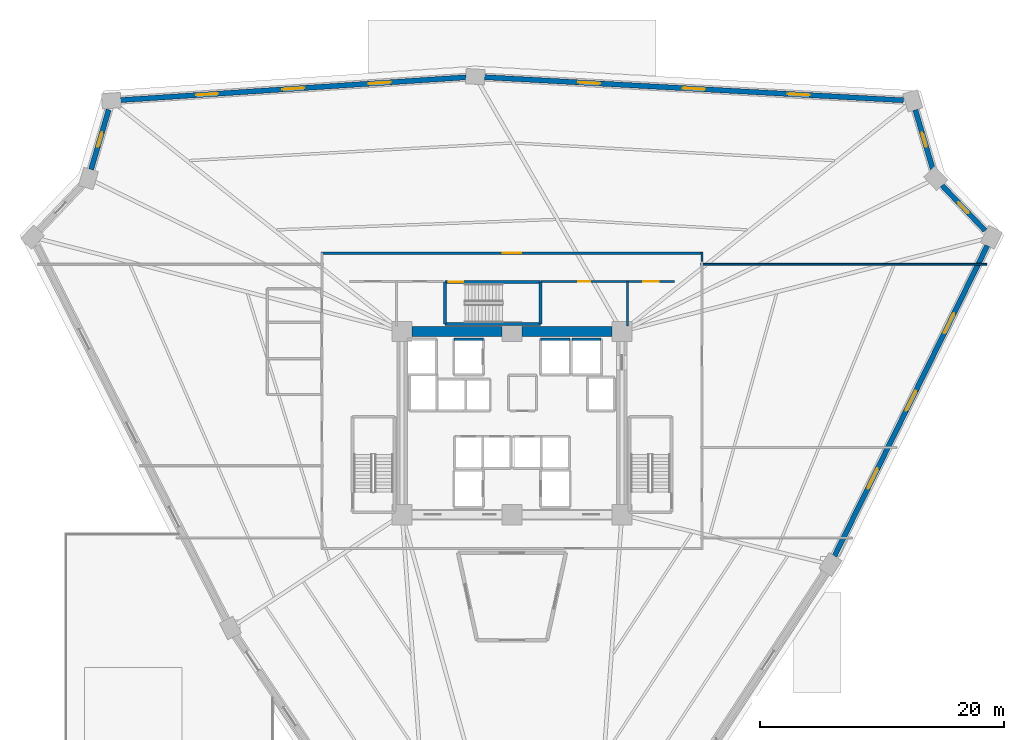
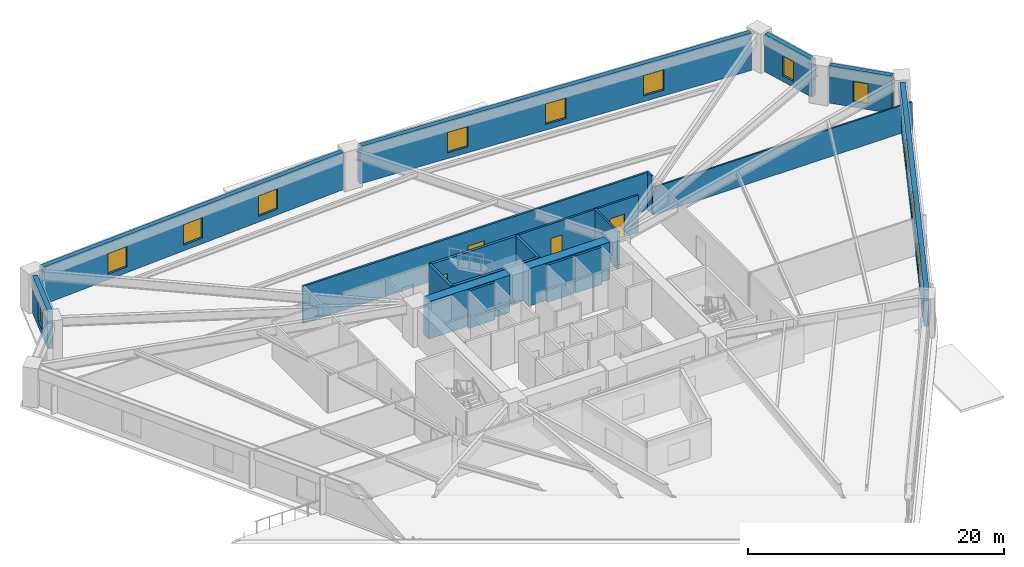
# One storey, part 6 of 9: 21 walls, 12 windows, 4 doors, 16 openings.
"""IFC4 building model written with IfcOpenShell, lengths in metres."""

from ifc_helpers import new_model, si_unit, direction, frame, frame_2d, origin, place, context, subcontext, project, spatial, rectangle, extrude, source, transform, mapped, material, layer, layer_set, type_object, element, fill, save


model = new_model("IFC4")

# Units and contexts
model_context = context("Model", 3, precision=1e-05, world=origin(), true_north=direction((0.0, 1.0)))
body_context = subcontext(model_context, "Body", "Model", "MODEL_VIEW")
ifc_project = project(units=[si_unit("LENGTHUNIT", "METRE"), si_unit("AREAUNIT", "SQUARE_METRE"), si_unit("VOLUMEUNIT", "CUBIC_METRE"), si_unit("PLANEANGLEUNIT", "RADIAN"), si_unit("MASSUNIT", "GRAM", prefix="KILO")], contexts=[model_context])

# Site, building, storey
site_placement = place(None, origin())
site = spatial("IfcSite", under=ifc_project, at=site_placement, CompositionType="ELEMENT")
building_placement = place(site_placement, origin())
building = spatial("IfcBuilding", under=site, at=building_placement, Name="Liaohun Quay Tower", CompositionType="ELEMENT")
storey_placement = place(building_placement, frame((0.0, 0.0, 28.5)))
storey = spatial("IfcBuildingStorey", under=building, at=storey_placement, Name="L07", CompositionType="ELEMENT", Elevation=28.5)

# Walls
ifc_material_1 = material(Name="Concrete C60", Category="concrete")
ifc_layer_1 = layer(ifc_material_1, 0.85009765625, Name="Concrete C60", Category="concrete")
ifc_layer_set_1 = layer_set([ifc_layer_1], Name="Concrete C60")
wall_type_1 = type_object("IfcWallType", Name="WAL-COR-Z1", PredefinedType="SHEAR", material=ifc_layer_set_1)
for number, where, z_axis, x_axis, name in (
    (1, (51.824951171875, 61.5, 0.0), (0.0, 0.0, 1.0), (1.0, 0.0, 0.0), "L07 Central Core Shear Wall N-W"),
    (2, (60.824951171875, 61.5, 0.0), (0.0, 0.0, 1.0), (1.0, 0.0, 0.0), "L07 Central Core Shear Wall N-E"),
):
    element("IfcWall", number, at=place(storey_placement, frame(where, z_axis=z_axis, x_axis=x_axis)), inside=storey, type_object=wall_type_1, Name=name, PredefinedType="SHEAR", context=body_context, shape_type="SweptSolid", body=[
        extrude(rectangle(XDim=7.35009765625, YDim=0.85009765625, at=frame_2d((3.675048828125, 0.0))), origin(), (0.0, 0.0, 1.0), 3.570068359375),
    ])

# Wall, openings, windows
ifc_material_2 = material(Name="Precast concrete C50 insulated sandwich", Category="concrete")
ifc_layer_2 = layer(ifc_material_2, 0.419921875, Name="Precast concrete C50 insulated sandwich", Category="concrete")
ifc_layer_set_2 = layer_set([ifc_layer_2], Name="Precast concrete C50 insulated sandwich")
wall_type_2 = type_object("IfcWallType", Name="WAL-EXT-Z12", PredefinedType="SOLIDWALL", material=ifc_layer_set_2)
wall_1_placement = place(storey_placement, frame((86.402099609375, 43.10888671875, 0.0), z_axis=(0.0, 0.0, 1.0), x_axis=(0.441766083851, 0.897130273238, 0.0)))
wall_1 = element("IfcWall", 3, at=wall_1_placement, inside=storey, type_object=wall_type_2, Name="L07 Brutalist Precast Pier Wall 03", PredefinedType="SOLIDWALL", context=body_context, shape_type="SweptSolid", body=[
    extrude(rectangle(XDim=28.33154296875, YDim=0.419921875, at=frame_2d((14.165771484375, 0.0))), origin(), (0.0, 0.0, 1.0), 3.570068359375),
])
shared_shape_1 = source(origin(), body_context, "Body", "SweptSolid", [
    extrude(rectangle(XDim=1.800048828125, YDim=1.949951171875, at=frame_2d((0.89990234375, 0.97509765625))), frame((0.0, 0.219970703125, 0.0), z_axis=(0.0, -1.0, 0.0), x_axis=(1.0, 0.0, 0.0)), (0.0, 0.0, 1.0), 0.43994140625),
])
opening_1_placement = place(wall_1_placement, frame((6.18310546875, 0.0, 0.550048828125)))
opening_1 = element("IfcOpeningElement", 4, at=opening_1_placement, cuts=wall_1, Name="Opening W01", PredefinedType="OPENING", context=body_context, shape_type="MappedRepresentation", body=[
    mapped(shared_shape_1, transform((0.0, 0.0, 0.0), x_axis=(1.0, 0.0, 0.0), y_axis=(0.0, 1.0, 0.0), z_axis=(0.0, 0.0, 1.0), scale=1.0)),
])
opening_2_placement = place(wall_1_placement, frame((13.26611328125, 0.0, 0.550048828125)))
opening_2 = element("IfcOpeningElement", 5, at=opening_2_placement, cuts=wall_1, Name="Opening W01", PredefinedType="OPENING", context=body_context, shape_type="MappedRepresentation", body=[
    mapped(shared_shape_1, transform((0.0, 0.0, 0.0), x_axis=(1.0, 0.0, 0.0), y_axis=(0.0, 1.0, 0.0), z_axis=(0.0, 0.0, 1.0), scale=1.0)),
])
opening_3_placement = place(wall_1_placement, frame((20.34912109375, 0.0, 0.550048828125)))
opening_3 = element("IfcOpeningElement", 6, at=opening_3_placement, cuts=wall_1, Name="Opening W01", PredefinedType="OPENING", context=body_context, shape_type="MappedRepresentation", body=[
    mapped(shared_shape_1, transform((0.0, 0.0, 0.0), x_axis=(1.0, 0.0, 0.0), y_axis=(0.0, 1.0, 0.0), z_axis=(0.0, 0.0, 1.0), scale=1.0)),
])
ifc_material_3 = material(Name="Triple Low-E argon glazing in thermally broken aluminium", Category="aluminium")
window_type_1 = type_object("IfcWindowType", Name="WIN-PUN-Z1", PartitioningType="DOUBLE_PANEL_VERTICAL", PredefinedType="WINDOW", material=ifc_material_3)
shared_shape_2 = source(origin(), body_context, "Body", "SweptSolid", [
    extrude(rectangle(XDim=1.800048828125, YDim=1.949951171875, at=frame_2d((0.89990234375, 0.97509765625))), frame((0.0, 0.030029296875, 0.0), z_axis=(0.0, -1.0, 0.0), x_axis=(1.0, 0.0, 0.0)), (0.0, 0.0, 1.0), 0.06005859375),
])
window_1_placement = place(opening_1_placement, origin())
window_1 = element("IfcWindow", 7, at=window_1_placement, inside=storey, type_object=window_type_1, Name="L07 Recessed Cold-Climate Punched Window 03-1", OverallHeight=1.949951171875, OverallWidth=1.800048828125, PartitioningType="DOUBLE_PANEL_VERTICAL", PredefinedType="WINDOW", context=body_context, shape_type="MappedRepresentation", body=[
    mapped(shared_shape_2, transform((0.0, 0.0, 0.0), x_axis=(1.0, 0.0, 0.0), y_axis=(0.0, 1.0, 0.0), z_axis=(0.0, 0.0, 1.0), scale=1.0)),
])
fill(opening_1, window_1)
window_2_placement = place(opening_2_placement, origin())
window_2 = element("IfcWindow", 8, at=window_2_placement, inside=storey, type_object=window_type_1, Name="L07 Recessed Cold-Climate Punched Window 03-2", OverallHeight=1.949951171875, OverallWidth=1.800048828125, PartitioningType="DOUBLE_PANEL_VERTICAL", PredefinedType="WINDOW", context=body_context, shape_type="MappedRepresentation", body=[
    mapped(shared_shape_2, transform((0.0, 0.0, 0.0), x_axis=(1.0, 0.0, 0.0), y_axis=(0.0, 1.0, 0.0), z_axis=(0.0, 0.0, 1.0), scale=1.0)),
])
fill(opening_2, window_2)
window_3_placement = place(opening_3_placement, origin())
window_3 = element("IfcWindow", 9, at=window_3_placement, inside=storey, type_object=window_type_1, Name="L07 Recessed Cold-Climate Punched Window 03-3", OverallHeight=1.949951171875, OverallWidth=1.800048828125, PartitioningType="DOUBLE_PANEL_VERTICAL", PredefinedType="WINDOW", context=body_context, shape_type="MappedRepresentation", body=[
    mapped(shared_shape_2, transform((0.0, 0.0, 0.0), x_axis=(1.0, 0.0, 0.0), y_axis=(0.0, 1.0, 0.0), z_axis=(0.0, 0.0, 1.0), scale=1.0)),
])
fill(opening_3, window_3)

# Wall, opening, window
wall_2_placement = place(storey_placement, frame((98.72900390625, 69.76611328125, 0.0), z_axis=(0.0, 0.0, 1.0), x_axis=(-0.689380748277, 0.724399188228, 0.0)))
wall_2 = element("IfcWall", 10, at=wall_2_placement, inside=storey, type_object=wall_type_2, Name="L07 Brutalist Precast Pier Wall 04", PredefinedType="SOLIDWALL", context=body_context, shape_type="SweptSolid", body=[
    extrude(rectangle(XDim=5.1103515625, YDim=0.419921875, at=frame_2d((2.55517578125, 0.0))), origin(), (0.0, 0.0, 1.0), 3.570068359375),
])
shared_shape_3 = source(origin(), body_context, "Body", "SweptSolid", [
    extrude(rectangle(XDim=1.199951171875, YDim=1.89990234375, at=frame_2d((0.60009765625, 0.949951171875))), frame((0.0, 0.219970703125, 0.0), z_axis=(0.0, -1.0, 0.0), x_axis=(1.0, 0.0, 0.0)), (0.0, 0.0, 1.0), 0.43994140625),
])
opening_4_placement = place(wall_2_placement, frame((1.955078125, 0.0, 0.550048828125)))
opening_4 = element("IfcOpeningElement", 11, at=opening_4_placement, cuts=wall_2, Name="Opening W05", PredefinedType="OPENING", context=body_context, shape_type="MappedRepresentation", body=[
    mapped(shared_shape_3, transform((0.0, 0.0, 0.0), x_axis=(1.0, 0.0, 0.0), y_axis=(0.0, 1.0, 0.0), z_axis=(0.0, 0.0, 1.0), scale=1.0)),
])
ifc_material_4 = material(Name="Triple Low-E corner notch glazing", Category="glass")
window_type_2 = type_object("IfcWindowType", Name="WIN-NOTCH", PartitioningType="SINGLE_PANEL", PredefinedType="WINDOW", material=ifc_material_4)
shared_shape_4 = source(origin(), body_context, "Body", "SweptSolid", [
    extrude(rectangle(XDim=1.199951171875, YDim=1.89990234375, at=frame_2d((0.60009765625, 0.949951171875))), frame((0.0, 0.030029296875, 0.0), z_axis=(0.0, -1.0, 0.0), x_axis=(1.0, 0.0, 0.0)), (0.0, 0.0, 1.0), 0.06005859375),
])
window_4_placement = place(opening_4_placement, origin())
window_4 = element("IfcWindow", 12, at=window_4_placement, inside=storey, type_object=window_type_2, Name="L07 Corner Notch Window W05-04", OverallHeight=1.89990234375, OverallWidth=1.199951171875, PartitioningType="SINGLE_PANEL", PredefinedType="WINDOW", context=body_context, shape_type="MappedRepresentation", body=[
    mapped(shared_shape_4, transform((0.0, 0.0, 0.0), x_axis=(1.0, 0.0, 0.0), y_axis=(0.0, 1.0, 0.0), z_axis=(0.0, 0.0, 1.0), scale=1.0)),
])
fill(opening_4, window_4)

wall_3_placement = place(storey_placement, frame((94.462890625, 74.756103515625, 0.0), z_axis=(0.0, 0.0, 1.0), x_axis=(-0.282977060142, 0.959126677469, 0.0)))
wall_3 = element("IfcWall", 13, at=wall_3_placement, inside=storey, type_object=wall_type_2, Name="L07 Brutalist Precast Pier Wall 05", PredefinedType="SOLIDWALL", context=body_context, shape_type="SweptSolid", body=[
    extrude(rectangle(XDim=5.102294921875, YDim=0.419921875, at=frame_2d((2.55126953125, 0.0))), origin(), (0.0, 0.0, 1.0), 3.570068359375),
])
opening_5_placement = place(wall_3_placement, frame((1.950927734375, 0.0, 0.550048828125)))
opening_5 = element("IfcOpeningElement", 14, at=opening_5_placement, cuts=wall_3, Name="Opening W05", PredefinedType="OPENING", context=body_context, shape_type="MappedRepresentation", body=[
    mapped(shared_shape_3, transform((0.0, 0.0, 0.0), x_axis=(1.0, 0.0, 0.0), y_axis=(0.0, 1.0, 0.0), z_axis=(0.0, 0.0, 1.0), scale=1.0)),
])
window_5_placement = place(opening_5_placement, origin())
window_5 = element("IfcWindow", 15, at=window_5_placement, inside=storey, type_object=window_type_2, Name="L07 Corner Notch Window W05-05", OverallHeight=1.89990234375, OverallWidth=1.199951171875, PartitioningType="SINGLE_PANEL", PredefinedType="WINDOW", context=body_context, shape_type="MappedRepresentation", body=[
    mapped(shared_shape_4, transform((0.0, 0.0, 0.0), x_axis=(1.0, 0.0, 0.0), y_axis=(0.0, 1.0, 0.0), z_axis=(0.0, 0.0, 1.0), scale=1.0)),
])
fill(opening_5, window_5)

# Wall, openings, windows
wall_4_placement = place(storey_placement, frame((92.0390625, 80.426025390625, 0.0), z_axis=(0.0, 0.0, 1.0), x_axis=(-0.998480221771, 0.055111221476, 0.0)))
wall_4 = element("IfcWall", 16, at=wall_4_placement, inside=storey, type_object=wall_type_2, Name="L07 Brutalist Precast Pier Wall 06", PredefinedType="SOLIDWALL", context=body_context, shape_type="SweptSolid", body=[
    extrude(rectangle(XDim=34.332275390625, YDim=0.419921875, at=frame_2d((17.166015625, 0.0))), origin(), (0.0, 0.0, 1.0), 3.570068359375),
])
opening_6_placement = place(wall_4_placement, frame((7.68310546875, 0.0, 0.550048828125)))
opening_6 = element("IfcOpeningElement", 17, at=opening_6_placement, cuts=wall_4, Name="Opening W01", PredefinedType="OPENING", context=body_context, shape_type="MappedRepresentation", body=[
    mapped(shared_shape_1, transform((0.0, 0.0, 0.0), x_axis=(1.0, 0.0, 0.0), y_axis=(0.0, 1.0, 0.0), z_axis=(0.0, 0.0, 1.0), scale=1.0)),
])
opening_7_placement = place(wall_4_placement, frame((16.26611328125, 0.0, 0.550048828125)))
opening_7 = element("IfcOpeningElement", 18, at=opening_7_placement, cuts=wall_4, Name="Opening W01", PredefinedType="OPENING", context=body_context, shape_type="MappedRepresentation", body=[
    mapped(shared_shape_1, transform((0.0, 0.0, 0.0), x_axis=(1.0, 0.0, 0.0), y_axis=(0.0, 1.0, 0.0), z_axis=(0.0, 0.0, 1.0), scale=1.0)),
])
opening_8_placement = place(wall_4_placement, frame((24.84912109375, 0.0, 0.550048828125)))
opening_8 = element("IfcOpeningElement", 19, at=opening_8_placement, cuts=wall_4, Name="Opening W01", PredefinedType="OPENING", context=body_context, shape_type="MappedRepresentation", body=[
    mapped(shared_shape_1, transform((0.0, 0.0, 0.0), x_axis=(1.0, 0.0, 0.0), y_axis=(0.0, 1.0, 0.0), z_axis=(0.0, 0.0, 1.0), scale=1.0)),
])
window_6_placement = place(opening_6_placement, origin())
window_6 = element("IfcWindow", 20, at=window_6_placement, inside=storey, type_object=window_type_1, Name="L07 Recessed Cold-Climate Punched Window 06-1", OverallHeight=1.949951171875, OverallWidth=1.800048828125, PartitioningType="DOUBLE_PANEL_VERTICAL", PredefinedType="WINDOW", context=body_context, shape_type="MappedRepresentation", body=[
    mapped(shared_shape_2, transform((0.0, 0.0, 0.0), x_axis=(1.0, 0.0, 0.0), y_axis=(0.0, 1.0, 0.0), z_axis=(0.0, 0.0, 1.0), scale=1.0)),
])
fill(opening_6, window_6)
window_7_placement = place(opening_7_placement, origin())
window_7 = element("IfcWindow", 21, at=window_7_placement, inside=storey, type_object=window_type_1, Name="L07 Recessed Cold-Climate Punched Window 06-2", OverallHeight=1.949951171875, OverallWidth=1.800048828125, PartitioningType="DOUBLE_PANEL_VERTICAL", PredefinedType="WINDOW", context=body_context, shape_type="MappedRepresentation", body=[
    mapped(shared_shape_2, transform((0.0, 0.0, 0.0), x_axis=(1.0, 0.0, 0.0), y_axis=(0.0, 1.0, 0.0), z_axis=(0.0, 0.0, 1.0), scale=1.0)),
])
fill(opening_7, window_7)
window_8_placement = place(opening_8_placement, origin())
window_8 = element("IfcWindow", 22, at=window_8_placement, inside=storey, type_object=window_type_1, Name="L07 Recessed Cold-Climate Punched Window 06-3", OverallHeight=1.949951171875, OverallWidth=1.800048828125, PartitioningType="DOUBLE_PANEL_VERTICAL", PredefinedType="WINDOW", context=body_context, shape_type="MappedRepresentation", body=[
    mapped(shared_shape_2, transform((0.0, 0.0, 0.0), x_axis=(1.0, 0.0, 0.0), y_axis=(0.0, 1.0, 0.0), z_axis=(0.0, 0.0, 1.0), scale=1.0)),
])
fill(opening_8, window_8)

wall_5_placement = place(storey_placement, frame((56.23193359375, 82.31005859375, 0.0), z_axis=(0.0, 0.0, 1.0), x_axis=(-0.997821383979, -0.06597337095, 0.0)))
wall_5 = element("IfcWall", 23, at=wall_5_placement, inside=storey, type_object=wall_type_2, Name="L07 Brutalist Precast Pier Wall 07", PredefinedType="SOLIDWALL", context=body_context, shape_type="SweptSolid", body=[
    extrude(rectangle(XDim=28.331787109375, YDim=0.419921875, at=frame_2d((14.166015625, 0.0))), origin(), (0.0, 0.0, 1.0), 3.570068359375),
])
opening_9_placement = place(wall_5_placement, frame((6.18310546875, 0.0, 0.550048828125)))
opening_9 = element("IfcOpeningElement", 24, at=opening_9_placement, cuts=wall_5, Name="Opening W01", PredefinedType="OPENING", context=body_context, shape_type="MappedRepresentation", body=[
    mapped(shared_shape_1, transform((0.0, 0.0, 0.0), x_axis=(1.0, 0.0, 0.0), y_axis=(0.0, 1.0, 0.0), z_axis=(0.0, 0.0, 1.0), scale=1.0)),
])
opening_10_placement = place(wall_5_placement, frame((13.26611328125, 0.0, 0.550048828125)))
opening_10 = element("IfcOpeningElement", 25, at=opening_10_placement, cuts=wall_5, Name="Opening W01", PredefinedType="OPENING", context=body_context, shape_type="MappedRepresentation", body=[
    mapped(shared_shape_1, transform((0.0, 0.0, 0.0), x_axis=(1.0, 0.0, 0.0), y_axis=(0.0, 1.0, 0.0), z_axis=(0.0, 0.0, 1.0), scale=1.0)),
])
opening_11_placement = place(wall_5_placement, frame((20.34912109375, 0.0, 0.550048828125)))
opening_11 = element("IfcOpeningElement", 26, at=opening_11_placement, cuts=wall_5, Name="Opening W01", PredefinedType="OPENING", context=body_context, shape_type="MappedRepresentation", body=[
    mapped(shared_shape_1, transform((0.0, 0.0, 0.0), x_axis=(1.0, 0.0, 0.0), y_axis=(0.0, 1.0, 0.0), z_axis=(0.0, 0.0, 1.0), scale=1.0)),
])
window_9_placement = place(opening_9_placement, origin())
window_9 = element("IfcWindow", 27, at=window_9_placement, inside=storey, type_object=window_type_1, Name="L07 Recessed Cold-Climate Punched Window 07-1", OverallHeight=1.949951171875, OverallWidth=1.800048828125, PartitioningType="DOUBLE_PANEL_VERTICAL", PredefinedType="WINDOW", context=body_context, shape_type="MappedRepresentation", body=[
    mapped(shared_shape_2, transform((0.0, 0.0, 0.0), x_axis=(1.0, 0.0, 0.0), y_axis=(0.0, 1.0, 0.0), z_axis=(0.0, 0.0, 1.0), scale=1.0)),
])
fill(opening_9, window_9)
window_10_placement = place(opening_10_placement, origin())
window_10 = element("IfcWindow", 28, at=window_10_placement, inside=storey, type_object=window_type_1, Name="L07 Recessed Cold-Climate Punched Window 07-2", OverallHeight=1.949951171875, OverallWidth=1.800048828125, PartitioningType="DOUBLE_PANEL_VERTICAL", PredefinedType="WINDOW", context=body_context, shape_type="MappedRepresentation", body=[
    mapped(shared_shape_2, transform((0.0, 0.0, 0.0), x_axis=(1.0, 0.0, 0.0), y_axis=(0.0, 1.0, 0.0), z_axis=(0.0, 0.0, 1.0), scale=1.0)),
])
fill(opening_10, window_10)
window_11_placement = place(opening_11_placement, origin())
window_11 = element("IfcWindow", 29, at=window_11_placement, inside=storey, type_object=window_type_1, Name="L07 Recessed Cold-Climate Punched Window 07-3", OverallHeight=1.949951171875, OverallWidth=1.800048828125, PartitioningType="DOUBLE_PANEL_VERTICAL", PredefinedType="WINDOW", context=body_context, shape_type="MappedRepresentation", body=[
    mapped(shared_shape_2, transform((0.0, 0.0, 0.0), x_axis=(1.0, 0.0, 0.0), y_axis=(0.0, 1.0, 0.0), z_axis=(0.0, 0.0, 1.0), scale=1.0)),
])
fill(opening_11, window_11)

# Wall, opening, window
wall_6_placement = place(storey_placement, frame((26.98291015625, 79.656982421875, 0.0), z_axis=(0.0, 0.0, 1.0), x_axis=(-0.282952619542, -0.959133887992, 0.0)))
wall_6 = element("IfcWall", 30, at=wall_6_placement, inside=storey, type_object=wall_type_2, Name="L07 Brutalist Precast Pier Wall 08", PredefinedType="SOLIDWALL", context=body_context, shape_type="SweptSolid", body=[
    extrude(rectangle(XDim=5.109619140625, YDim=0.419921875, at=frame_2d((2.5546875, 0.0))), origin(), (0.0, 0.0, 1.0), 3.570068359375),
])
opening_12_placement = place(wall_6_placement, frame((1.955078125, 0.0, 0.550048828125)))
opening_12 = element("IfcOpeningElement", 31, at=opening_12_placement, cuts=wall_6, Name="Opening W05", PredefinedType="OPENING", context=body_context, shape_type="MappedRepresentation", body=[
    mapped(shared_shape_3, transform((0.0, 0.0, 0.0), x_axis=(1.0, 0.0, 0.0), y_axis=(0.0, 1.0, 0.0), z_axis=(0.0, 0.0, 1.0), scale=1.0)),
])
window_12_placement = place(opening_12_placement, origin())
window_12 = element("IfcWindow", 32, at=window_12_placement, inside=storey, type_object=window_type_2, Name="L07 Corner Notch Window W05-08", OverallHeight=1.89990234375, OverallWidth=1.199951171875, PartitioningType="SINGLE_PANEL", PredefinedType="WINDOW", context=body_context, shape_type="MappedRepresentation", body=[
    mapped(shared_shape_4, transform((0.0, 0.0, 0.0), x_axis=(1.0, 0.0, 0.0), y_axis=(0.0, 1.0, 0.0), z_axis=(0.0, 0.0, 1.0), scale=1.0)),
])
fill(opening_12, window_12)

# Wall, opening, door
ifc_material_5 = material(Name="Autoclaved aerated concrete blockwork", Category="masonry")
ifc_layer_3 = layer(ifc_material_5, 0.179931640625, Name="Autoclaved aerated concrete blockwork", Category="masonry")
ifc_layer_set_3 = layer_set([ifc_layer_3], Name="Autoclaved aerated concrete blockwork")
wall_type_3 = type_object("IfcWallType", Name="WAL-PRT-COR", PredefinedType="PARTITIONING", material=ifc_layer_set_3)
wall_7_placement = place(storey_placement, frame((62.389892578125, 65.580078125, 0.0), z_axis=(0.0, 0.0, 1.0), x_axis=(1.0, 0.0, 0.0)))
wall_7 = element("IfcWall", 33, at=wall_7_placement, inside=storey, type_object=wall_type_3, Name="L07 Interior Partition Wall 006", PredefinedType="PARTITIONING", context=body_context, shape_type="SweptSolid", body=[
    extrude(rectangle(XDim=7.070068359375, YDim=0.179931640625, at=frame_2d((3.53515625, 0.0))), origin(), (0.0, 0.0, 1.0), 3.570068359375),
])
shared_shape_5 = source(origin(), body_context, "Body", "SweptSolid", [
    extrude(rectangle(XDim=1.0, YDim=2.199951171875, at=frame_2d((0.5, 1.10009765625))), frame((0.0, 0.099853515625, 0.0), z_axis=(0.0, -1.0, 0.0), x_axis=(1.0, 0.0, 0.0)), (0.0, 0.0, 1.0), 0.199951171875),
])
opening_13_placement = place(wall_7_placement, frame((3.034912109375, 0.0, 0.0)))
opening_13 = element("IfcOpeningElement", 34, at=opening_13_placement, cuts=wall_7, Name="Opening OD1", PredefinedType="OPENING", context=body_context, shape_type="MappedRepresentation", body=[
    mapped(shared_shape_5, transform((0.0, 0.0, 0.0), x_axis=(1.0, 0.0, 0.0), y_axis=(0.0, 1.0, 0.0), z_axis=(0.0, 0.0, 1.0), scale=1.0)),
])
ifc_material_6 = material(Name="Solid-core oak veneer timber leaf in steel frame", Category="steel")
door_type_1 = type_object("IfcDoorType", Name="DOR-OFF-1000", OperationType="NOTDEFINED", PredefinedType="DOOR", material=ifc_material_6)
shared_shape_6 = source(origin(), body_context, "Body", "SweptSolid", [
    extrude(rectangle(XDim=1.0, YDim=2.199951171875, at=frame_2d((0.5, 1.10009765625))), frame((0.0, 0.02490234375, 0.0), z_axis=(0.0, -1.0, 0.0), x_axis=(1.0, 0.0, 0.0)), (0.0, 0.0, 1.0), 0.050048828125),
])
door_1_placement = place(opening_13_placement, origin())
door_1 = element("IfcDoor", 35, at=door_1_placement, inside=storey, type_object=door_type_1, Name="L07 North-East Archive and Mail Room Door", OperationType="SINGLE_SWING_LEFT", OverallHeight=2.199951171875, OverallWidth=1.0, PredefinedType="DOOR", context=body_context, shape_type="MappedRepresentation", body=[
    mapped(shared_shape_6, transform((0.0, 0.0, 0.0), x_axis=(1.0, 0.0, 0.0), y_axis=(0.0, 1.0, 0.0), z_axis=(0.0, 0.0, 1.0), scale=1.0)),
])
fill(opening_13, door_1)

wall_8_placement = place(storey_placement, frame((69.4599609375, 65.580078125, 0.0), z_axis=(0.0, 0.0, 1.0), x_axis=(1.0, 0.0, 0.0)))
wall_8 = element("IfcWall", 36, at=wall_8_placement, inside=storey, type_object=wall_type_3, Name="L07 Interior Partition Wall 008", PredefinedType="PARTITIONING", context=body_context, shape_type="SweptSolid", body=[
    extrude(rectangle(XDim=3.840087890625, YDim=0.179931640625, at=frame_2d((1.919921875, 0.0))), origin(), (0.0, 0.0, 1.0), 3.570068359375),
])
shared_shape_7 = source(origin(), body_context, "Body", "SweptSolid", [
    extrude(rectangle(XDim=1.300048828125, YDim=2.199951171875, at=frame_2d((0.64990234375, 1.10009765625))), frame((0.0, 0.099853515625, 0.0), z_axis=(0.0, -1.0, 0.0), x_axis=(1.0, 0.0, 0.0)), (0.0, 0.0, 1.0), 0.199951171875),
])
opening_14_placement = place(wall_8_placement, frame((1.27001953125, 0.0, 0.0)))
opening_14 = element("IfcOpeningElement", 37, at=opening_14_placement, cuts=wall_8, Name="Opening FD1", PredefinedType="OPENING", context=body_context, shape_type="MappedRepresentation", body=[
    mapped(shared_shape_7, transform((0.0, 0.0, 0.0), x_axis=(1.0, 0.0, 0.0), y_axis=(0.0, 1.0, 0.0), z_axis=(0.0, 0.0, 1.0), scale=1.0)),
])
ifc_material_7 = material(Name="Galvanised steel smokeproof fire door", Category="steel")
door_type_2 = type_object("IfcDoorType", Name="DOR-FFL-1300", OperationType="NOTDEFINED", PredefinedType="DOOR", material=ifc_material_7)
shared_shape_8 = source(origin(), body_context, "Body", "SweptSolid", [
    extrude(rectangle(XDim=1.300048828125, YDim=2.199951171875, at=frame_2d((0.64990234375, 1.10009765625))), frame((0.0, 0.02490234375, 0.0), z_axis=(0.0, -1.0, 0.0), x_axis=(1.0, 0.0, 0.0)), (0.0, 0.0, 1.0), 0.050048828125),
])
door_2_placement = place(opening_14_placement, origin())
door_2 = element("IfcDoor", 38, at=door_2_placement, inside=storey, type_object=door_type_2, Name="L07 East Core Vestibule Door", OperationType="SINGLE_SWING_LEFT", OverallHeight=2.199951171875, OverallWidth=1.300048828125, PredefinedType="DOOR", context=body_context, shape_type="MappedRepresentation", body=[
    mapped(shared_shape_8, transform((0.0, 0.0, 0.0), x_axis=(1.0, 0.0, 0.0), y_axis=(0.0, 1.0, 0.0), z_axis=(0.0, 0.0, 1.0), scale=1.0)),
])
fill(opening_14, door_2)

wall_9_placement = place(storey_placement, frame((44.3701171875, 67.909912109375, 0.0), z_axis=(0.0, 0.0, 1.0), x_axis=(1.0, 0.0, 0.0)))
wall_9 = element("IfcWall", 39, at=wall_9_placement, inside=storey, type_object=wall_type_3, Name="L07 Interior Partition Wall 010", PredefinedType="PARTITIONING", context=body_context, shape_type="SweptSolid", body=[
    extrude(rectangle(XDim=31.259765625, YDim=0.179931640625, at=frame_2d((15.6298828125, 0.0))), origin(), (0.0, 0.0, 1.0), 3.570068359375),
])
shared_shape_9 = source(origin(), body_context, "Body", "SweptSolid", [
    extrude(rectangle(XDim=1.5, YDim=2.199951171875, at=frame_2d((0.75, 1.10009765625))), frame((0.0, 0.099853515625, 0.0), z_axis=(0.0, -1.0, 0.0), x_axis=(1.0, 0.0, 0.0)), (0.0, 0.0, 1.0), 0.199951171875),
])
opening_15_placement = place(wall_9_placement, frame((14.8798828125, 0.0, 0.0)))
opening_15 = element("IfcOpeningElement", 40, at=opening_15_placement, cuts=wall_9, Name="Opening OD2", PredefinedType="OPENING", context=body_context, shape_type="MappedRepresentation", body=[
    mapped(shared_shape_9, transform((0.0, 0.0, 0.0), x_axis=(1.0, 0.0, 0.0), y_axis=(0.0, 1.0, 0.0), z_axis=(0.0, 0.0, 1.0), scale=1.0)),
])
ifc_material_8 = material(Name="Acoustic oak veneer double door")
door_type_3 = type_object("IfcDoorType", Name="DOR-OFF-1500", OperationType="DOUBLE_DOOR_SINGLE_SWING", PredefinedType="DOOR", material=ifc_material_8)
shared_shape_10 = source(origin(), body_context, "Body", "SweptSolid", [
    extrude(rectangle(XDim=1.5, YDim=2.199951171875, at=frame_2d((0.75, 1.10009765625))), frame((0.0, 0.02490234375, 0.0), z_axis=(0.0, -1.0, 0.0), x_axis=(1.0, 0.0, 0.0)), (0.0, 0.0, 1.0), 0.050048828125),
])
door_3_placement = place(opening_15_placement, origin())
door_3 = element("IfcDoor", 41, at=door_3_placement, inside=storey, type_object=door_type_3, Name="L07 Technical Reference Library 02 Door", OperationType="DOUBLE_DOOR_SINGLE_SWING", OverallHeight=2.199951171875, OverallWidth=1.5, PredefinedType="DOOR", context=body_context, shape_type="MappedRepresentation", body=[
    mapped(shared_shape_10, transform((0.0, 0.0, 0.0), x_axis=(1.0, 0.0, 0.0), y_axis=(0.0, 1.0, 0.0), z_axis=(0.0, 0.0, 1.0), scale=1.0)),
])
fill(opening_15, door_3)

# Walls
wall_10_placement = place(storey_placement, frame((69.4599609375, 61.949951171875, 0.0), z_axis=(0.0, 0.0, 1.0), x_axis=(0.0, 1.0, 0.0)))
element("IfcWall", 42, at=wall_10_placement, inside=storey, type_object=wall_type_3, Name="L07 Interior Partition Wall 024", PredefinedType="PARTITIONING", context=body_context, shape_type="SweptSolid", body=[
    extrude(rectangle(XDim=3.630126953125, YDim=0.179931640625, at=frame_2d((1.81494140625, 0.0))), origin(), (0.0, 0.0, 1.0), 3.570068359375),
])
wall_11_placement = place(storey_placement, frame((75.56005859375, 67.97998046875, 0.0), z_axis=(0.0, 0.0, 1.0), x_axis=(0.0, -1.0, 0.0)))
element("IfcWall", 43, at=wall_11_placement, inside=storey, type_object=wall_type_3, Name="L07 Interior Partition Wall 026", PredefinedType="PARTITIONING", context=body_context, shape_type="SweptSolid", body=[
    extrude(rectangle(XDim=0.764892578125, YDim=0.179931640625, at=frame_2d((0.38232421875, 0.0))), origin(), (0.0, 0.0, 1.0), 3.570068359375),
])
ifc_material_9 = material(Name="Gypsum board on twin steel studs", Category="steel")
ifc_layer_4 = layer(ifc_material_9, 0.139892578125, Name="Gypsum board on twin steel studs", Category="steel")
ifc_layer_set_4 = layer_set([ifc_layer_4], Name="Gypsum board on twin steel studs")
wall_type_4 = type_object("IfcWallType", Name="WAL-PRT-OFF", PredefinedType="PARTITIONING", material=ifc_layer_set_4)
wall_12_placement = place(storey_placement, frame((75.4599609375, 67.0, 0.0), z_axis=(0.0, 0.0, 1.0), x_axis=(1.0, 0.0, 0.0)))
element("IfcWall", 44, at=wall_12_placement, inside=storey, type_object=wall_type_4, Name="L07 Interior Partition Wall 035", PredefinedType="PARTITIONING", context=body_context, shape_type="SweptSolid", body=[
    extrude(rectangle(XDim=23.41015625, YDim=0.139892578125, at=frame_2d((11.705078125, 0.0))), origin(), (0.0, 0.0, 1.0), 2.655029296875),
])
ifc_material_10 = material(Name="Concrete C50", Category="concrete")
ifc_layer_5 = layer(ifc_material_10, 0.239990234375, Name="Concrete C50", Category="concrete")
ifc_layer_set_5 = layer_set([ifc_layer_5], Name="Concrete C50")
wall_type_5 = type_object("IfcWallType", Name="WAL-SHF-200", PredefinedType="SOLIDWALL", material=ifc_layer_set_5)
wall_13_placement = place(storey_placement, frame((54.5, 62.10009765625, 0.0), z_axis=(0.0, 0.0, 1.0), x_axis=(1.0, 0.0, 0.0)))
element("IfcWall", 45, at=wall_13_placement, inside=storey, type_object=wall_type_5, Name="L07 Stairwell ST-3 Structural Core Wall S", PredefinedType="SOLIDWALL", context=body_context, shape_type="SweptSolid", body=[
    extrude(rectangle(XDim=7.820068359375, YDim=0.239990234375, at=frame_2d((3.91015625, 0.0))), origin(), (0.0, 0.0, 1.0), 3.570068359375),
])
wall_14_placement = place(storey_placement, frame((62.320068359375, 62.10009765625, 0.0), z_axis=(0.0, 0.0, 1.0), x_axis=(0.0, 1.0, 0.0)))
element("IfcWall", 46, at=wall_14_placement, inside=storey, type_object=wall_type_5, Name="L07 Stairwell ST-3 Structural Core Wall E", PredefinedType="SOLIDWALL", context=body_context, shape_type="SweptSolid", body=[
    extrude(rectangle(XDim=3.43994140625, YDim=0.239990234375, at=frame_2d((1.719970703125, 0.0))), origin(), (0.0, 0.0, 1.0), 3.570068359375),
])

# Wall, opening, door
wall_15_placement = place(storey_placement, frame((62.320068359375, 65.5400390625, 0.0), z_axis=(0.0, 0.0, 1.0), x_axis=(-1.0, 0.0, 0.0)))
wall_15 = element("IfcWall", 47, at=wall_15_placement, inside=storey, type_object=wall_type_5, Name="L07 Stairwell ST-3 Structural Core Wall N", PredefinedType="SOLIDWALL", context=body_context, shape_type="SweptSolid", body=[
    extrude(rectangle(XDim=7.820068359375, YDim=0.239990234375, at=frame_2d((3.91015625, 0.0))), origin(), (0.0, 0.0, 1.0), 3.570068359375),
])
shared_shape_11 = source(origin(), body_context, "Body", "SweptSolid", [
    extrude(rectangle(XDim=1.199951171875, YDim=2.199951171875, at=frame_2d((0.60009765625, 1.10009765625))), frame((0.0, 0.1298828125, 0.0), z_axis=(0.0, -1.0, 0.0), x_axis=(1.0, 0.0, 0.0)), (0.0, 0.0, 1.0), 0.260009765625),
])
opening_16_placement = place(wall_15_placement, frame((6.300048828125, 0.0, 0.0)))
opening_16 = element("IfcOpeningElement", 48, at=opening_16_placement, cuts=wall_15, Name="Opening SD1", PredefinedType="OPENING", context=body_context, shape_type="MappedRepresentation", body=[
    mapped(shared_shape_11, transform((0.0, 0.0, 0.0), x_axis=(1.0, 0.0, 0.0), y_axis=(0.0, 1.0, 0.0), z_axis=(0.0, 0.0, 1.0), scale=1.0)),
])
ifc_material_11 = material(Name="Galvanised steel fire door", Category="steel")
door_type_4 = type_object("IfcDoorType", Name="DOR-STR-1200", OperationType="NOTDEFINED", PredefinedType="DOOR", material=ifc_material_11)
shared_shape_12 = source(origin(), body_context, "Body", "SweptSolid", [
    extrude(rectangle(XDim=1.199951171875, YDim=2.199951171875, at=frame_2d((0.60009765625, 1.10009765625))), frame((0.0, 0.02490234375, 0.0), z_axis=(0.0, -1.0, 0.0), x_axis=(1.0, 0.0, 0.0)), (0.0, 0.0, 1.0), 0.050048828125),
])
door_4_placement = place(opening_16_placement, origin())
door_4 = element("IfcDoor", 49, at=door_4_placement, inside=storey, type_object=door_type_4, Name="L07 Protected Stair ST-3 Fire Door", OperationType="SINGLE_SWING_RIGHT", OverallHeight=2.199951171875, OverallWidth=1.199951171875, PredefinedType="DOOR", context=body_context, shape_type="MappedRepresentation", body=[
    mapped(shared_shape_12, transform((0.0, 0.0, 0.0), x_axis=(1.0, 0.0, 0.0), y_axis=(0.0, 1.0, 0.0), z_axis=(0.0, 0.0, 1.0), scale=1.0)),
])
fill(opening_16, door_4)

# Walls
wall_16_placement = place(storey_placement, frame((54.5, 65.5400390625, 0.0), z_axis=(0.0, 0.0, 1.0), x_axis=(0.0, -1.0, 0.0)))
element("IfcWall", 50, at=wall_16_placement, inside=storey, type_object=wall_type_5, Name="L07 Stairwell ST-3 Structural Core Wall W", PredefinedType="SOLIDWALL", context=body_context, shape_type="SweptSolid", body=[
    extrude(rectangle(XDim=3.43994140625, YDim=0.239990234375, at=frame_2d((1.719970703125, 0.0))), origin(), (0.0, 0.0, 1.0), 3.570068359375),
])
for number, where, z_axis, x_axis, name in (
    (51, (57.64990234375, 60.8798828125, 0.0), (0.0, 0.0, 1.0), (-1.0, 0.0, 0.0), "L07 Lift FF-03 Hoistway Wall N"),
    (52, (64.75, 60.8798828125, 0.0), (0.0, 0.0, 1.0), (-1.0, 0.0, 0.0), "L07 Lift OB-01 Hoistway Wall N"),
):
    element("IfcWall", number, at=place(storey_placement, frame(where, z_axis=z_axis, x_axis=x_axis)), inside=storey, type_object=wall_type_5, Name=name, PredefinedType="SOLIDWALL", context=body_context, shape_type="SweptSolid", body=[
        extrude(rectangle(XDim=2.39990234375, YDim=0.199951171875, at=frame_2d((1.199951171875, 0.0))), origin(), (0.0, 0.0, 1.0), 3.570068359375),
    ])
wall_17_placement = place(storey_placement, frame((67.300048828125, 60.8798828125, 0.0), z_axis=(0.0, 0.0, 1.0), x_axis=(-1.0, 0.0, 0.0)))
element("IfcWall", 53, at=wall_17_placement, inside=storey, type_object=wall_type_5, Name="L07 Lift OB-02 Hoistway Wall N", PredefinedType="SOLIDWALL", context=body_context, shape_type="SweptSolid", body=[
    extrude(rectangle(XDim=2.400146484375, YDim=0.199951171875, at=frame_2d((1.2001953125, 0.0))), origin(), (0.0, 0.0, 1.0), 3.570068359375),
])

save(model, "model.ifc")
